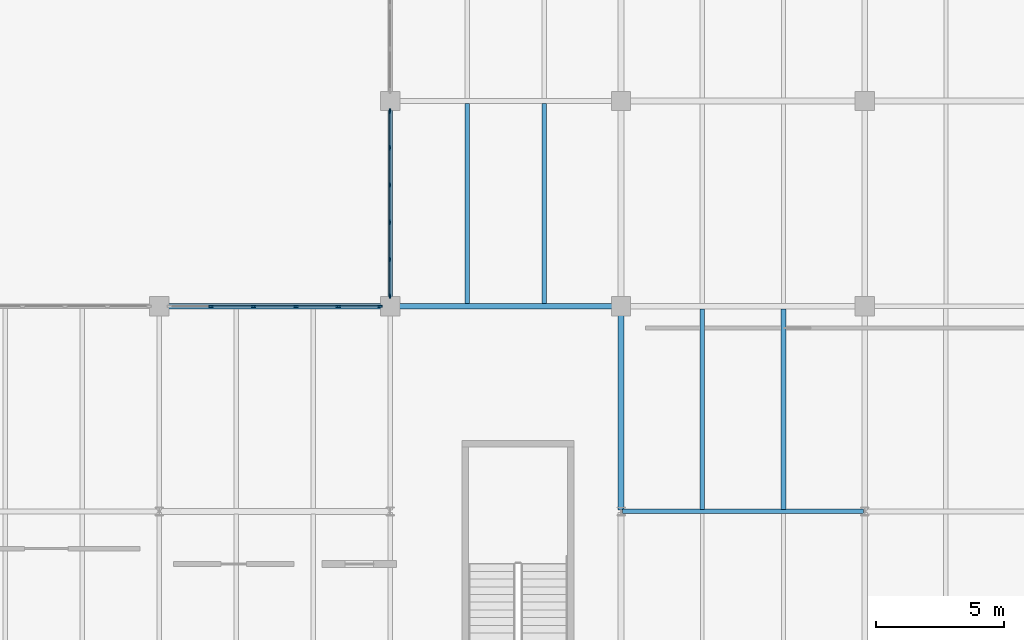
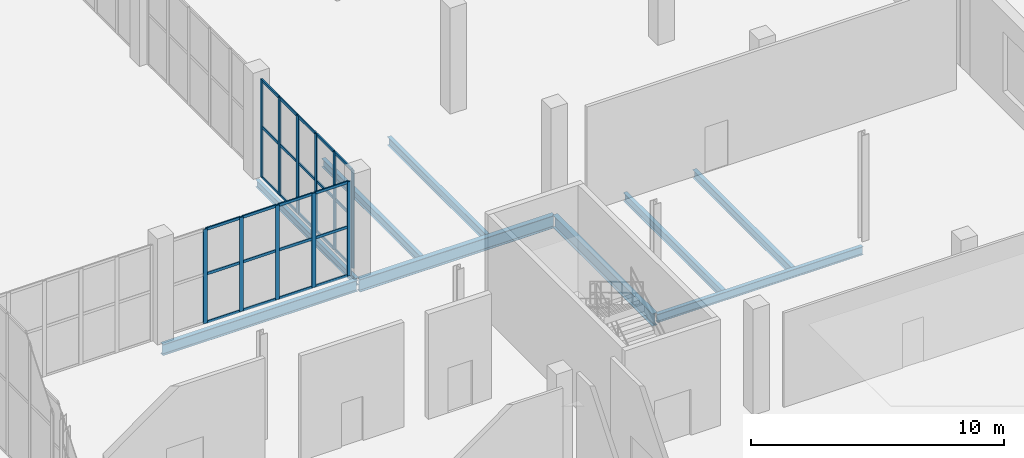
# One storey, part 58 of 103: 38 members, 9 beams, 2 elements without a shape of their own.
"""IFC4 building model written with IfcOpenShell, lengths in metres."""

from ifc_helpers import new_model, si_unit, direction, frame, origin, origin_2d, place, context, subcontext, project, spatial, rectangle, i_section, extrude, material, layer, layer_set, material_profile, profile_set, type_object, element, aggregate, save


model = new_model("IFC4")

# Units and contexts
model_context = context("Model", 3, precision=1e-05, world=origin(), true_north=direction((0.0, 1.0)))
body_context = subcontext(model_context, "Body", "Model", "MODEL_VIEW")
ifc_project = project(units=[si_unit("LENGTHUNIT", "METRE"), si_unit("AREAUNIT", "SQUARE_METRE"), si_unit("VOLUMEUNIT", "CUBIC_METRE"), si_unit("PLANEANGLEUNIT", "RADIAN"), si_unit("MASSUNIT", "GRAM", prefix="KILO")], contexts=[model_context])

# Site, building, storey
site_placement = place(None, origin())
site = spatial("IfcSite", under=ifc_project, at=site_placement, CompositionType="ELEMENT")
building_placement = place(site_placement, origin())
building = spatial("IfcBuilding", under=site, at=building_placement, Name="Marnock Terrace Opera House", CompositionType="ELEMENT")
storey_placement = place(building_placement, origin())
storey = spatial("IfcBuildingStorey", under=building, at=storey_placement, Name="L00", CompositionType="ELEMENT", Elevation=0.0)

# Beams
ifc_material_1 = material(Name="Steel Grade 350 (AS/NZS 3679.1)", Category="steel")
ifc_material_profile_1 = material_profile(ifc_material_1, i_section(OverallWidth=0.1708984375, OverallDepth=0.355712890625, WebThickness=0.00732421875, FlangeThickness=0.011474609375, FilletRadius=0.011474609375, at=origin_2d()))
ifc_profile_set_1 = profile_set([ifc_material_profile_1], Name="Steel Grade 350 (AS/NZS 3679.1)")
beam_type_1 = type_object("IfcBeamType", Name="BM-GIRD-360", PredefinedType="BEAM", material=ifc_profile_set_1)
beam_1_placement = place(storey_placement, frame((136.0, 40.050048828125, -0.477783203125), z_axis=(0.0, 1.0, 0.0), x_axis=(-1.0, 0.0, 0.0)))
element("IfcBeam", 1, at=beam_1_placement, inside=storey, type_object=beam_type_1, Name="L00 girder (X=136.0, 40.0..48.0)", PredefinedType="BEAM", context=body_context, shape_type="SweptSolid", body=[
    extrude(i_section(OverallWidth=0.1708984375, OverallDepth=0.355712890625, WebThickness=0.00732421875, FlangeThickness=0.011474609375, FilletRadius=0.011474609375, at=origin_2d()), origin(), (0.0, 0.0, 1.0), 7.89990234375),
])
ifc_material_profile_2 = material_profile(ifc_material_1, i_section(OverallWidth=0.177978515625, OverallDepth=0.402587890625, WebThickness=0.007568359375, FlangeThickness=0.010986328125, FilletRadius=0.011474609375, at=origin_2d()))
ifc_profile_set_2 = profile_set([ifc_material_profile_2], Name="Steel Grade 350 (AS/NZS 3679.1)")
beam_type_2 = type_object("IfcBeamType", Name="BM-GIRD-410", PredefinedType="BEAM", material=ifc_profile_set_2)
beam_2_placement = place(storey_placement, frame((145.050048828125, 32.0, -0.501220703125), z_axis=(1.0, 0.0, 0.0), x_axis=(0.0, 1.0, 0.0)))
element("IfcBeam", 2, at=beam_2_placement, inside=storey, type_object=beam_type_2, Name="L00 girder (145.0..154.5, Y=32.0)", PredefinedType="BEAM", context=body_context, shape_type="SweptSolid", body=[
    extrude(i_section(OverallWidth=0.177978515625, OverallDepth=0.402587890625, WebThickness=0.007568359375, FlangeThickness=0.010986328125, FilletRadius=0.011474609375, at=origin_2d()), origin(), (0.0, 0.0, 1.0), 9.39990234375),
])
ifc_material_profile_3 = material_profile(ifc_material_1, i_section(OverallWidth=0.208984375, OverallDepth=0.532958984375, WebThickness=0.01025390625, FlangeThickness=0.015625, FilletRadius=0.013916015625, at=origin_2d()))
ifc_profile_set_3 = profile_set([ifc_material_profile_3], Name="Steel Grade 350 (AS/NZS 3679.1)")
beam_type_3 = type_object("IfcBeamType", Name="BM-GIRD-530A", PredefinedType="BEAM", material=ifc_profile_set_3)
beam_3_placement = place(storey_placement, frame((127.050048828125, 40.0, -0.56640625), z_axis=(1.0, 0.0, 0.0), x_axis=(0.0, 1.0, 0.0)))
element("IfcBeam", 3, at=beam_3_placement, inside=storey, type_object=beam_type_3, Name="L00 girder (127.0..136.0, Y=40.0)", PredefinedType="BEAM", context=body_context, shape_type="SweptSolid", body=[
    extrude(i_section(OverallWidth=0.208984375, OverallDepth=0.532958984375, WebThickness=0.01025390625, FlangeThickness=0.015625, FilletRadius=0.013916015625, at=origin_2d()), origin(), (0.0, 0.0, 1.0), 8.89990234375),
])
ifc_material_profile_4 = material_profile(ifc_material_1, i_section(OverallWidth=0.22802734375, OverallDepth=0.60693359375, WebThickness=0.01123046875, FlangeThickness=0.017333984375, FilletRadius=0.013916015625, at=origin_2d()))
ifc_profile_set_4 = profile_set([ifc_material_profile_4], Name="Steel Grade 350 (AS/NZS 3679.1)")
beam_type_4 = type_object("IfcBeamType", Name="BM-GIRD-610B", PredefinedType="BEAM", material=ifc_profile_set_4)
beam_4_placement = place(storey_placement, frame((136.050048828125, 40.0, -0.603515625), z_axis=(1.0, 0.0, 0.0), x_axis=(0.0, 1.0, 0.0)))
element("IfcBeam", 4, at=beam_4_placement, inside=storey, type_object=beam_type_4, Name="L00 girder (136.0..145.0, Y=40.0)", PredefinedType="BEAM", context=body_context, shape_type="SweptSolid", body=[
    extrude(i_section(OverallWidth=0.22802734375, OverallDepth=0.60693359375, WebThickness=0.01123046875, FlangeThickness=0.017333984375, FilletRadius=0.013916015625, at=origin_2d()), origin(), (0.0, 0.0, 1.0), 8.89990234375),
])
ifc_material_profile_5 = material_profile(ifc_material_1, i_section(OverallWidth=0.22802734375, OverallDepth=0.60205078125, WebThickness=0.010498046875, FlangeThickness=0.014892578125, FilletRadius=0.013916015625, at=origin_2d()))
ifc_profile_set_5 = profile_set([ifc_material_profile_5], Name="Steel Grade 350 (AS/NZS 3679.1)")
beam_type_5 = type_object("IfcBeamType", Name="BM-GIRD-610C", PredefinedType="BEAM", material=ifc_profile_set_5)
beam_5_placement = place(storey_placement, frame((145.0, 32.050048828125, -0.60107421875), z_axis=(0.0, 1.0, 0.0), x_axis=(-1.0, 0.0, 0.0)))
element("IfcBeam", 5, at=beam_5_placement, inside=storey, type_object=beam_type_5, Name="L00 girder (X=145.0, 32.0..40.0)", PredefinedType="BEAM", context=body_context, shape_type="SweptSolid", body=[
    extrude(i_section(OverallWidth=0.22802734375, OverallDepth=0.60205078125, WebThickness=0.010498046875, FlangeThickness=0.014892578125, FilletRadius=0.013916015625, at=origin_2d()), origin(), (0.0, 0.0, 1.0), 7.89990234375),
])
ifc_material_profile_6 = material_profile(ifc_material_1, i_section(OverallWidth=0.177978515625, OverallDepth=0.406494140625, WebThickness=0.0078125, FlangeThickness=0.0126953125, FilletRadius=0.011474609375, at=origin_2d()))
ifc_profile_set_6 = profile_set([ifc_material_profile_6], Name="Steel Grade 350 (AS/NZS 3679.1)")
beam_type_6 = type_object("IfcBeamType", Name="BM-JOIST-410", PredefinedType="JOIST", material=ifc_profile_set_6)
for number, where, z_axis, x_axis, name in (
    (6, (139.0, 40.10888671875, -0.503173828125), (0.0, 1.0, 0.0), (-1.0, 0.0, 0.0), "L00 secondary joist 15.5.1"),
    (7, (142.0, 40.10888671875, -0.503173828125), (0.0, 1.0, 0.0), (-1.0, 0.0, 0.0), "L00 secondary joist 15.5.2"),
):
    element("IfcBeam", number, at=place(storey_placement, frame(where, z_axis=z_axis, x_axis=x_axis)), inside=storey, type_object=beam_type_6, Name=name, PredefinedType="JOIST", context=body_context, shape_type="SweptSolid", body=[
        extrude(i_section(OverallWidth=0.177978515625, OverallDepth=0.406494140625, WebThickness=0.0078125, FlangeThickness=0.0126953125, FilletRadius=0.011474609375, at=origin_2d()), origin(), (0.0, 0.0, 1.0), 7.79150390625),
    ])
for number, where, z_axis, x_axis, name in (
    (8, (148.166748046875, 32.083984375, -0.503173828125), (0.0, 1.0, 0.0), (-1.0, 0.0, 0.0), "L00 secondary joist 16.4.1"),
    (9, (151.333251953125, 32.083984375, -0.503173828125), (0.0, 1.0, 0.0), (-1.0, 0.0, 0.0), "L00 secondary joist 16.4.2"),
):
    element("IfcBeam", number, at=place(storey_placement, frame(where, z_axis=z_axis, x_axis=x_axis)), inside=storey, type_object=beam_type_6, Name=name, PredefinedType="JOIST", context=body_context, shape_type="SweptSolid", body=[
        extrude(i_section(OverallWidth=0.177978515625, OverallDepth=0.406494140625, WebThickness=0.0078125, FlangeThickness=0.0126953125, FilletRadius=0.011474609375, at=origin_2d()), origin(), (0.0, 0.0, 1.0), 7.806396484375),
    ])

# Curtain wall, members
ifc_material_2 = material(Name="Anodised architectural bronze aluminium framing", Category="aluminium")
ifc_layer = layer(ifc_material_2, 0.159912109375)
ifc_layer_set = layer_set([ifc_layer], Name="Anodised architectural bronze aluminium framing")
curtain_wall_type = type_object("IfcCurtainWallType", Name="CW-LOGGIA-86x51", PredefinedType="NOTDEFINED", material=ifc_layer_set)
curtain_wall_1_placement = place(storey_placement, origin())
curtain_wall_1 = element("IfcCurtainWall", 10, at=curtain_wall_1_placement, inside=storey, type_object=curtain_wall_type, Name="L00 glazed Beaux-Arts colonnade curtain wall CW-V5-L00-CS2", PredefinedType="NOTDEFINED")
ifc_material_profile_7 = material_profile(ifc_material_2, rectangle(XDim=0.06494140625, YDim=0.179931640625, at=origin_2d()))
ifc_profile_set_7 = profile_set([ifc_material_profile_7], Name="Anodised architectural bronze aluminium framing")
member_type_1 = type_object("IfcMemberType", Name="CWM-65x180", PredefinedType="MULLION", material=ifc_profile_set_7)
member_1_placement = place(storey_placement, frame((129.022705078125, 40.0, 0.0), z_axis=(0.0, 0.0, 1.0), x_axis=(0.0, 1.0, 0.0)))
member_1 = element("IfcMember", 11, at=member_1_placement, type_object=member_type_1, Name="CW-96 mullion 2", PredefinedType="MULLION", context=body_context, shape_type="SweptSolid", body=[
    extrude(rectangle(XDim=0.06494140625, YDim=0.179931640625, at=origin_2d()), origin(), (0.0, 0.0, 1.0), 4.556884765625),
])
member_2_placement = place(storey_placement, frame((130.67431640625, 40.0, 0.0), z_axis=(0.0, 0.0, 1.0), x_axis=(0.0, 1.0, 0.0)))
member_2 = element("IfcMember", 12, at=member_2_placement, type_object=member_type_1, Name="CW-96 mullion 3", PredefinedType="MULLION", context=body_context, shape_type="SweptSolid", body=[
    extrude(rectangle(XDim=0.06494140625, YDim=0.179931640625, at=origin_2d()), origin(), (0.0, 0.0, 1.0), 4.556884765625),
])
member_3_placement = place(storey_placement, frame((132.32568359375, 40.0, 0.0), z_axis=(0.0, 0.0, 1.0), x_axis=(0.0, 1.0, 0.0)))
member_3 = element("IfcMember", 13, at=member_3_placement, type_object=member_type_1, Name="CW-96 mullion 4", PredefinedType="MULLION", context=body_context, shape_type="SweptSolid", body=[
    extrude(rectangle(XDim=0.06494140625, YDim=0.179931640625, at=origin_2d()), origin(), (0.0, 0.0, 1.0), 4.556884765625),
])
member_4_placement = place(storey_placement, frame((133.977294921875, 40.0, 0.0), z_axis=(0.0, 0.0, 1.0), x_axis=(0.0, 1.0, 0.0)))
member_4 = element("IfcMember", 14, at=member_4_placement, type_object=member_type_1, Name="CW-96 mullion 5", PredefinedType="MULLION", context=body_context, shape_type="SweptSolid", body=[
    extrude(rectangle(XDim=0.06494140625, YDim=0.179931640625, at=origin_2d()), origin(), (0.0, 0.0, 1.0), 4.556884765625),
])
member_5_placement = place(storey_placement, frame((135.59912109375, 40.0, 0.0), z_axis=(0.0, 0.0, 1.0), x_axis=(0.0, 1.0, 0.0)))
member_5 = element("IfcMember", 15, at=member_5_placement, type_object=member_type_1, Name="CW-96 mullion 6", PredefinedType="MULLION", context=body_context, shape_type="SweptSolid", body=[
    extrude(rectangle(XDim=0.06494140625, YDim=0.179931640625, at=origin_2d()), origin(), (0.0, 0.0, 1.0), 4.556884765625),
])

curtain_wall_2_placement = place(storey_placement, origin())
curtain_wall_2 = element("IfcCurtainWall", 16, at=curtain_wall_2_placement, inside=storey, type_object=curtain_wall_type, Name="L00 glazed Beaux-Arts colonnade curtain wall CW-V5-L00-CE1", PredefinedType="NOTDEFINED")
member_6_placement = place(storey_placement, frame((136.0, 40.40087890625, 0.0), z_axis=(0.0, 0.0, 1.0), x_axis=(-1.0, 0.0, 0.0)))
member_6 = element("IfcMember", 17, at=member_6_placement, type_object=member_type_1, Name="CW-96 mullion 1", PredefinedType="MULLION", context=body_context, shape_type="SweptSolid", body=[
    extrude(rectangle(XDim=0.06494140625, YDim=0.179931640625, at=origin_2d()), origin(), (0.0, 0.0, 1.0), 4.734375),
])
member_7_placement = place(storey_placement, frame((136.0, 41.822509765625, 0.0), z_axis=(0.0, 0.0, 1.0), x_axis=(-1.0, 0.0, 0.0)))
member_7 = element("IfcMember", 18, at=member_7_placement, type_object=member_type_1, Name="CW-96 mullion 2", PredefinedType="MULLION", context=body_context, shape_type="SweptSolid", body=[
    extrude(rectangle(XDim=0.06494140625, YDim=0.179931640625, at=origin_2d()), origin(), (0.0, 0.0, 1.0), 4.734375),
])
member_8_placement = place(storey_placement, frame((136.0, 43.274169921875, 0.0), z_axis=(0.0, 0.0, 1.0), x_axis=(-1.0, 0.0, 0.0)))
member_8 = element("IfcMember", 19, at=member_8_placement, type_object=member_type_1, Name="CW-96 mullion 3", PredefinedType="MULLION", context=body_context, shape_type="SweptSolid", body=[
    extrude(rectangle(XDim=0.06494140625, YDim=0.179931640625, at=origin_2d()), origin(), (0.0, 0.0, 1.0), 4.734375),
])
member_9_placement = place(storey_placement, frame((136.0, 44.725830078125, 0.0), z_axis=(0.0, 0.0, 1.0), x_axis=(-1.0, 0.0, 0.0)))
member_9 = element("IfcMember", 20, at=member_9_placement, type_object=member_type_1, Name="CW-96 mullion 4", PredefinedType="MULLION", context=body_context, shape_type="SweptSolid", body=[
    extrude(rectangle(XDim=0.06494140625, YDim=0.179931640625, at=origin_2d()), origin(), (0.0, 0.0, 1.0), 4.734375),
])
member_10_placement = place(storey_placement, frame((136.0, 46.177490234375, 0.0), z_axis=(0.0, 0.0, 1.0), x_axis=(-1.0, 0.0, 0.0)))
member_10 = element("IfcMember", 21, at=member_10_placement, type_object=member_type_1, Name="CW-96 mullion 5", PredefinedType="MULLION", context=body_context, shape_type="SweptSolid", body=[
    extrude(rectangle(XDim=0.06494140625, YDim=0.179931640625, at=origin_2d()), origin(), (0.0, 0.0, 1.0), 4.734375),
])
member_11_placement = place(storey_placement, frame((136.0, 47.59912109375, 0.0), z_axis=(0.0, 0.0, 1.0), x_axis=(-1.0, 0.0, 0.0)))
member_11 = element("IfcMember", 22, at=member_11_placement, type_object=member_type_1, Name="CW-96 mullion 6", PredefinedType="MULLION", context=body_context, shape_type="SweptSolid", body=[
    extrude(rectangle(XDim=0.06494140625, YDim=0.179931640625, at=origin_2d()), origin(), (0.0, 0.0, 1.0), 4.734375),
])

# Member
ifc_material_profile_8 = material_profile(ifc_material_2, rectangle(XDim=0.06005859375, YDim=0.1298828125, at=origin_2d()))
ifc_profile_set_8 = profile_set([ifc_material_profile_8], Name="Anodised architectural bronze aluminium framing")
member_type_2 = type_object("IfcMemberType", Name="CWT-60x130", PredefinedType="USERDEFINED", material=ifc_profile_set_8)
member_12_placement = place(storey_placement, frame((129.052490234375, 40.0, 0.030029296875), z_axis=(1.0, 0.0, 0.0), x_axis=(0.0, 1.0, 0.0)))
member_12 = element("IfcMember", 23, at=member_12_placement, type_object=member_type_2, Name="CW-96 transom 2.1", ObjectType="TRANSOM", PredefinedType="USERDEFINED", context=body_context, shape_type="SweptSolid", body=[
    extrude(rectangle(XDim=0.06005859375, YDim=0.1298828125, at=origin_2d()), origin(), (0.0, 0.0, 1.0), 1.591796875),
])

member_13_placement = place(storey_placement, frame((129.052490234375, 40.0, 2.36962890625), z_axis=(1.0, 0.0, 0.0), x_axis=(0.0, 1.0, 0.0)))
member_13 = element("IfcMember", 24, at=member_13_placement, type_object=member_type_2, Name="CW-96 transom 2.2", ObjectType="TRANSOM", PredefinedType="USERDEFINED", context=body_context, shape_type="SweptSolid", body=[
    extrude(rectangle(XDim=0.06005859375, YDim=0.1298828125, at=origin_2d()), origin(), (0.0, 0.0, 1.0), 1.591796875),
])

member_14_placement = place(storey_placement, frame((129.052490234375, 40.0, 4.527099609375), z_axis=(1.0, 0.0, 0.0), x_axis=(0.0, 1.0, 0.0)))
member_14 = element("IfcMember", 25, at=member_14_placement, type_object=member_type_2, Name="CW-96 transom 2.3", ObjectType="TRANSOM", PredefinedType="USERDEFINED", context=body_context, shape_type="SweptSolid", body=[
    extrude(rectangle(XDim=0.06005859375, YDim=0.1298828125, at=origin_2d()), origin(), (0.0, 0.0, 1.0), 1.591796875),
])

member_15_placement = place(storey_placement, frame((130.7041015625, 40.0, 0.030029296875), z_axis=(1.0, 0.0, 0.0), x_axis=(0.0, 1.0, 0.0)))
member_15 = element("IfcMember", 26, at=member_15_placement, type_object=member_type_2, Name="CW-96 transom 3.1", ObjectType="TRANSOM", PredefinedType="USERDEFINED", context=body_context, shape_type="SweptSolid", body=[
    extrude(rectangle(XDim=0.06005859375, YDim=0.1298828125, at=origin_2d()), origin(), (0.0, 0.0, 1.0), 1.591796875),
])

member_16_placement = place(storey_placement, frame((130.7041015625, 40.0, 2.36962890625), z_axis=(1.0, 0.0, 0.0), x_axis=(0.0, 1.0, 0.0)))
member_16 = element("IfcMember", 27, at=member_16_placement, type_object=member_type_2, Name="CW-96 transom 3.2", ObjectType="TRANSOM", PredefinedType="USERDEFINED", context=body_context, shape_type="SweptSolid", body=[
    extrude(rectangle(XDim=0.06005859375, YDim=0.1298828125, at=origin_2d()), origin(), (0.0, 0.0, 1.0), 1.591796875),
])

member_17_placement = place(storey_placement, frame((130.7041015625, 40.0, 4.527099609375), z_axis=(1.0, 0.0, 0.0), x_axis=(0.0, 1.0, 0.0)))
member_17 = element("IfcMember", 28, at=member_17_placement, type_object=member_type_2, Name="CW-96 transom 3.3", ObjectType="TRANSOM", PredefinedType="USERDEFINED", context=body_context, shape_type="SweptSolid", body=[
    extrude(rectangle(XDim=0.06005859375, YDim=0.1298828125, at=origin_2d()), origin(), (0.0, 0.0, 1.0), 1.591796875),
])

member_18_placement = place(storey_placement, frame((132.355712890625, 40.0, 0.030029296875), z_axis=(1.0, 0.0, 0.0), x_axis=(0.0, 1.0, 0.0)))
member_18 = element("IfcMember", 29, at=member_18_placement, type_object=member_type_2, Name="CW-96 transom 4.1", ObjectType="TRANSOM", PredefinedType="USERDEFINED", context=body_context, shape_type="SweptSolid", body=[
    extrude(rectangle(XDim=0.06005859375, YDim=0.1298828125, at=origin_2d()), origin(), (0.0, 0.0, 1.0), 1.591796875),
])

member_19_placement = place(storey_placement, frame((132.355712890625, 40.0, 2.36962890625), z_axis=(1.0, 0.0, 0.0), x_axis=(0.0, 1.0, 0.0)))
member_19 = element("IfcMember", 30, at=member_19_placement, type_object=member_type_2, Name="CW-96 transom 4.2", ObjectType="TRANSOM", PredefinedType="USERDEFINED", context=body_context, shape_type="SweptSolid", body=[
    extrude(rectangle(XDim=0.06005859375, YDim=0.1298828125, at=origin_2d()), origin(), (0.0, 0.0, 1.0), 1.591796875),
])

member_20_placement = place(storey_placement, frame((132.355712890625, 40.0, 4.527099609375), z_axis=(1.0, 0.0, 0.0), x_axis=(0.0, 1.0, 0.0)))
member_20 = element("IfcMember", 31, at=member_20_placement, type_object=member_type_2, Name="CW-96 transom 4.3", ObjectType="TRANSOM", PredefinedType="USERDEFINED", context=body_context, shape_type="SweptSolid", body=[
    extrude(rectangle(XDim=0.06005859375, YDim=0.1298828125, at=origin_2d()), origin(), (0.0, 0.0, 1.0), 1.591796875),
])

member_21_placement = place(storey_placement, frame((134.00732421875, 40.0, 0.030029296875), z_axis=(1.0, 0.0, 0.0), x_axis=(0.0, 1.0, 0.0)))
member_21 = element("IfcMember", 32, at=member_21_placement, type_object=member_type_2, Name="CW-96 transom 5.1", ObjectType="TRANSOM", PredefinedType="USERDEFINED", context=body_context, shape_type="SweptSolid", body=[
    extrude(rectangle(XDim=0.06005859375, YDim=0.1298828125, at=origin_2d()), origin(), (0.0, 0.0, 1.0), 1.561767578125),
])

member_22_placement = place(storey_placement, frame((134.00732421875, 40.0, 2.36962890625), z_axis=(1.0, 0.0, 0.0), x_axis=(0.0, 1.0, 0.0)))
member_22 = element("IfcMember", 33, at=member_22_placement, type_object=member_type_2, Name="CW-96 transom 5.2", ObjectType="TRANSOM", PredefinedType="USERDEFINED", context=body_context, shape_type="SweptSolid", body=[
    extrude(rectangle(XDim=0.06005859375, YDim=0.1298828125, at=origin_2d()), origin(), (0.0, 0.0, 1.0), 1.561767578125),
])

member_23_placement = place(storey_placement, frame((134.00732421875, 40.0, 4.527099609375), z_axis=(1.0, 0.0, 0.0), x_axis=(0.0, 1.0, 0.0)))
member_23 = element("IfcMember", 34, at=member_23_placement, type_object=member_type_2, Name="CW-96 transom 5.3", ObjectType="TRANSOM", PredefinedType="USERDEFINED", context=body_context, shape_type="SweptSolid", body=[
    extrude(rectangle(XDim=0.06005859375, YDim=0.1298828125, at=origin_2d()), origin(), (0.0, 0.0, 1.0), 1.561767578125),
])

aggregate(curtain_wall_1, [member_1, member_2, member_3, member_4, member_5, member_12, member_13, member_14, member_15, member_16, member_17, member_18, member_19, member_20, member_21, member_22, member_23])

member_24_placement = place(storey_placement, frame((136.0, 40.430908203125, 0.030029296875), z_axis=(0.0, 1.0, 0.0), x_axis=(-1.0, 0.0, 0.0)))
member_24 = element("IfcMember", 35, at=member_24_placement, type_object=member_type_2, Name="CW-96 transom 1.1", ObjectType="TRANSOM", PredefinedType="USERDEFINED", context=body_context, shape_type="SweptSolid", body=[
    extrude(rectangle(XDim=0.06005859375, YDim=0.1298828125, at=origin_2d()), origin(), (0.0, 0.0, 1.0), 1.361572265625),
])

member_25_placement = place(storey_placement, frame((136.0, 40.430908203125, 2.4619140625), z_axis=(0.0, 1.0, 0.0), x_axis=(-1.0, 0.0, 0.0)))
member_25 = element("IfcMember", 36, at=member_25_placement, type_object=member_type_2, Name="CW-96 transom 1.2", ObjectType="TRANSOM", PredefinedType="USERDEFINED", context=body_context, shape_type="SweptSolid", body=[
    extrude(rectangle(XDim=0.06005859375, YDim=0.1298828125, at=origin_2d()), origin(), (0.0, 0.0, 1.0), 1.361572265625),
])

member_26_placement = place(storey_placement, frame((136.0, 40.430908203125, 4.704345703125), z_axis=(0.0, 1.0, 0.0), x_axis=(-1.0, 0.0, 0.0)))
member_26 = element("IfcMember", 37, at=member_26_placement, type_object=member_type_2, Name="CW-96 transom 1.3", ObjectType="TRANSOM", PredefinedType="USERDEFINED", context=body_context, shape_type="SweptSolid", body=[
    extrude(rectangle(XDim=0.06005859375, YDim=0.1298828125, at=origin_2d()), origin(), (0.0, 0.0, 1.0), 1.361572265625),
])

member_27_placement = place(storey_placement, frame((136.0, 41.8525390625, 0.030029296875), z_axis=(0.0, 1.0, 0.0), x_axis=(-1.0, 0.0, 0.0)))
member_27 = element("IfcMember", 38, at=member_27_placement, type_object=member_type_2, Name="CW-96 transom 2.1", ObjectType="TRANSOM", PredefinedType="USERDEFINED", context=body_context, shape_type="SweptSolid", body=[
    extrude(rectangle(XDim=0.06005859375, YDim=0.1298828125, at=origin_2d()), origin(), (0.0, 0.0, 1.0), 1.3916015625),
])

member_28_placement = place(storey_placement, frame((136.0, 41.8525390625, 2.4619140625), z_axis=(0.0, 1.0, 0.0), x_axis=(-1.0, 0.0, 0.0)))
member_28 = element("IfcMember", 39, at=member_28_placement, type_object=member_type_2, Name="CW-96 transom 2.2", ObjectType="TRANSOM", PredefinedType="USERDEFINED", context=body_context, shape_type="SweptSolid", body=[
    extrude(rectangle(XDim=0.06005859375, YDim=0.1298828125, at=origin_2d()), origin(), (0.0, 0.0, 1.0), 1.3916015625),
])

member_29_placement = place(storey_placement, frame((136.0, 41.8525390625, 4.704345703125), z_axis=(0.0, 1.0, 0.0), x_axis=(-1.0, 0.0, 0.0)))
member_29 = element("IfcMember", 40, at=member_29_placement, type_object=member_type_2, Name="CW-96 transom 2.3", ObjectType="TRANSOM", PredefinedType="USERDEFINED", context=body_context, shape_type="SweptSolid", body=[
    extrude(rectangle(XDim=0.06005859375, YDim=0.1298828125, at=origin_2d()), origin(), (0.0, 0.0, 1.0), 1.3916015625),
])

member_30_placement = place(storey_placement, frame((136.0, 43.30419921875, 0.030029296875), z_axis=(0.0, 1.0, 0.0), x_axis=(-1.0, 0.0, 0.0)))
member_30 = element("IfcMember", 41, at=member_30_placement, type_object=member_type_2, Name="CW-96 transom 3.1", ObjectType="TRANSOM", PredefinedType="USERDEFINED", context=body_context, shape_type="SweptSolid", body=[
    extrude(rectangle(XDim=0.06005859375, YDim=0.1298828125, at=origin_2d()), origin(), (0.0, 0.0, 1.0), 1.3916015625),
])

member_31_placement = place(storey_placement, frame((136.0, 43.30419921875, 2.4619140625), z_axis=(0.0, 1.0, 0.0), x_axis=(-1.0, 0.0, 0.0)))
member_31 = element("IfcMember", 42, at=member_31_placement, type_object=member_type_2, Name="CW-96 transom 3.2", ObjectType="TRANSOM", PredefinedType="USERDEFINED", context=body_context, shape_type="SweptSolid", body=[
    extrude(rectangle(XDim=0.06005859375, YDim=0.1298828125, at=origin_2d()), origin(), (0.0, 0.0, 1.0), 1.3916015625),
])

member_32_placement = place(storey_placement, frame((136.0, 43.30419921875, 4.704345703125), z_axis=(0.0, 1.0, 0.0), x_axis=(-1.0, 0.0, 0.0)))
member_32 = element("IfcMember", 43, at=member_32_placement, type_object=member_type_2, Name="CW-96 transom 3.3", ObjectType="TRANSOM", PredefinedType="USERDEFINED", context=body_context, shape_type="SweptSolid", body=[
    extrude(rectangle(XDim=0.06005859375, YDim=0.1298828125, at=origin_2d()), origin(), (0.0, 0.0, 1.0), 1.3916015625),
])

member_33_placement = place(storey_placement, frame((136.0, 44.755859375, 0.030029296875), z_axis=(0.0, 1.0, 0.0), x_axis=(-1.0, 0.0, 0.0)))
member_33 = element("IfcMember", 44, at=member_33_placement, type_object=member_type_2, Name="CW-96 transom 4.1", ObjectType="TRANSOM", PredefinedType="USERDEFINED", context=body_context, shape_type="SweptSolid", body=[
    extrude(rectangle(XDim=0.06005859375, YDim=0.1298828125, at=origin_2d()), origin(), (0.0, 0.0, 1.0), 1.3916015625),
])

member_34_placement = place(storey_placement, frame((136.0, 44.755859375, 2.4619140625), z_axis=(0.0, 1.0, 0.0), x_axis=(-1.0, 0.0, 0.0)))
member_34 = element("IfcMember", 45, at=member_34_placement, type_object=member_type_2, Name="CW-96 transom 4.2", ObjectType="TRANSOM", PredefinedType="USERDEFINED", context=body_context, shape_type="SweptSolid", body=[
    extrude(rectangle(XDim=0.06005859375, YDim=0.1298828125, at=origin_2d()), origin(), (0.0, 0.0, 1.0), 1.3916015625),
])

member_35_placement = place(storey_placement, frame((136.0, 44.755859375, 4.704345703125), z_axis=(0.0, 1.0, 0.0), x_axis=(-1.0, 0.0, 0.0)))
member_35 = element("IfcMember", 46, at=member_35_placement, type_object=member_type_2, Name="CW-96 transom 4.3", ObjectType="TRANSOM", PredefinedType="USERDEFINED", context=body_context, shape_type="SweptSolid", body=[
    extrude(rectangle(XDim=0.06005859375, YDim=0.1298828125, at=origin_2d()), origin(), (0.0, 0.0, 1.0), 1.3916015625),
])

member_36_placement = place(storey_placement, frame((136.0, 46.20751953125, 0.030029296875), z_axis=(0.0, 1.0, 0.0), x_axis=(-1.0, 0.0, 0.0)))
member_36 = element("IfcMember", 47, at=member_36_placement, type_object=member_type_2, Name="CW-96 transom 5.1", ObjectType="TRANSOM", PredefinedType="USERDEFINED", context=body_context, shape_type="SweptSolid", body=[
    extrude(rectangle(XDim=0.06005859375, YDim=0.1298828125, at=origin_2d()), origin(), (0.0, 0.0, 1.0), 1.361572265625),
])

member_37_placement = place(storey_placement, frame((136.0, 46.20751953125, 2.4619140625), z_axis=(0.0, 1.0, 0.0), x_axis=(-1.0, 0.0, 0.0)))
member_37 = element("IfcMember", 48, at=member_37_placement, type_object=member_type_2, Name="CW-96 transom 5.2", ObjectType="TRANSOM", PredefinedType="USERDEFINED", context=body_context, shape_type="SweptSolid", body=[
    extrude(rectangle(XDim=0.06005859375, YDim=0.1298828125, at=origin_2d()), origin(), (0.0, 0.0, 1.0), 1.361572265625),
])

member_38_placement = place(storey_placement, frame((136.0, 46.20751953125, 4.704345703125), z_axis=(0.0, 1.0, 0.0), x_axis=(-1.0, 0.0, 0.0)))
member_38 = element("IfcMember", 49, at=member_38_placement, type_object=member_type_2, Name="CW-96 transom 5.3", ObjectType="TRANSOM", PredefinedType="USERDEFINED", context=body_context, shape_type="SweptSolid", body=[
    extrude(rectangle(XDim=0.06005859375, YDim=0.1298828125, at=origin_2d()), origin(), (0.0, 0.0, 1.0), 1.361572265625),
])

aggregate(curtain_wall_2, [member_6, member_7, member_8, member_9, member_10, member_11, member_24, member_25, member_26, member_27, member_28, member_29, member_30, member_31, member_32, member_33, member_34, member_35, member_36, member_37, member_38])

save(model, "model.ifc")
